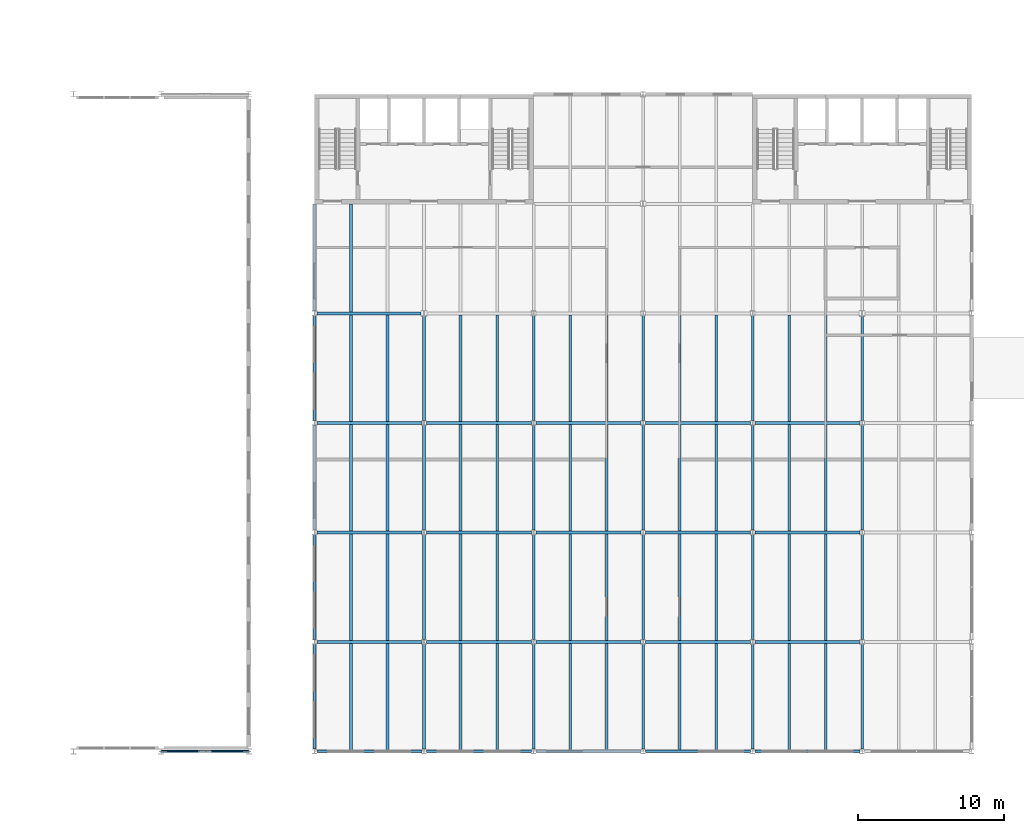
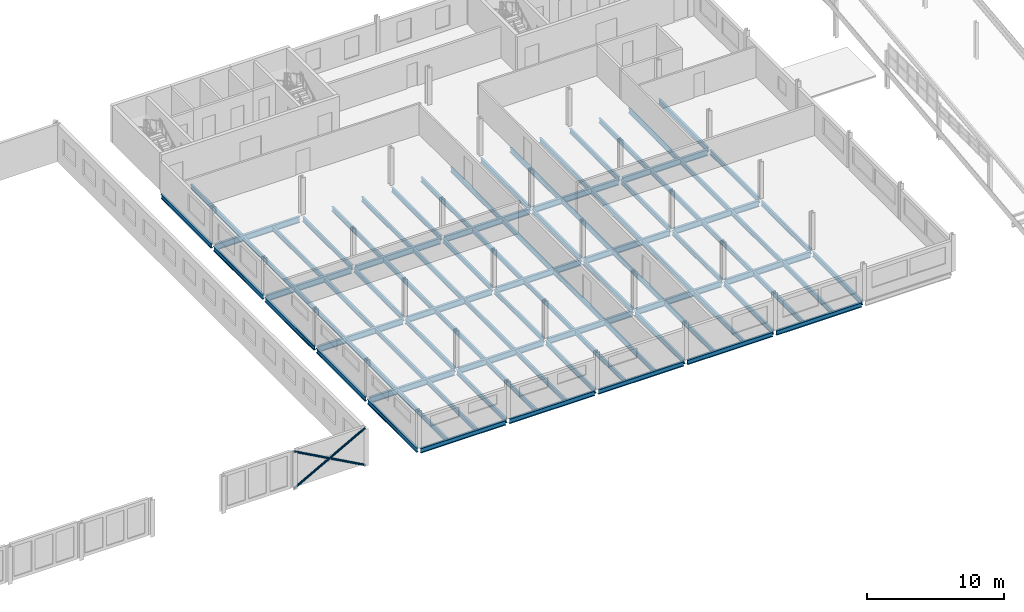
# One storey, part 29 of 199: 87 beams, 3 members.
"""IFC4 building model written with IfcOpenShell, lengths in metres."""

from ifc_helpers import new_model, si_unit, direction, frame, origin, origin_2d, place, context, subcontext, project, spatial, hollow_circle, i_section, extrude, material, material_profile, profile_set, type_object, element, save


model = new_model("IFC4")

# Units and contexts
model_context = context("Model", 3, precision=1e-05, world=origin(), true_north=direction((0.0, 1.0)))
body_context = subcontext(model_context, "Body", "Model", "MODEL_VIEW")
ifc_project = project(units=[si_unit("LENGTHUNIT", "METRE"), si_unit("AREAUNIT", "SQUARE_METRE"), si_unit("VOLUMEUNIT", "CUBIC_METRE"), si_unit("PLANEANGLEUNIT", "RADIAN"), si_unit("MASSUNIT", "GRAM", prefix="KILO")], contexts=[model_context])

# Site, building, storey
site_placement = place(None, origin())
site = spatial("IfcSite", under=ifc_project, at=site_placement, CompositionType="ELEMENT")
building_placement = place(site_placement, origin())
building = spatial("IfcBuilding", under=site, at=building_placement, Name="Parallax Yard Mobility Hub", CompositionType="ELEMENT")
storey_placement = place(building_placement, frame((0.0, 0.0, 9.89990234375)))
storey = spatial("IfcBuildingStorey", under=building, at=storey_placement, Name="L03", CompositionType="ELEMENT", Elevation=9.89990234375)

# Beams
ifc_material_1 = material(Name="Steel ASTM A992", Category="steel")
ifc_material_profile_1 = material_profile(ifc_material_1, i_section(OverallWidth=0.177978515625, OverallDepth=0.406005859375, WebThickness=0.0078125, FlangeThickness=0.0126953125, FilletRadius=0.01025390625, at=origin_2d()), Name="W410x60")
ifc_profile_set_1 = profile_set([ifc_material_profile_1], Name="Steel ASTM A992")
beam_type_1 = type_object("IfcBeamType", Name="W410x60 secondary beam", PredefinedType="JOIST", material=ifc_profile_set_1)
beam_1_placement = place(storey_placement, frame((100.0, 7.589599609375, -0.343017578125), z_axis=(0.0, 1.0, 0.0), x_axis=(-1.0, 0.0, 0.0)))
element("IfcBeam", 1, at=beam_1_placement, inside=storey, type_object=beam_type_1, Name="Secondary beam B1 level L03, 2.5 m east of line 14 of mobility service centre and workshops, span 1", PredefinedType="JOIST", context=body_context, shape_type="SweptSolid", body=[
    extrude(i_section(OverallWidth=0.177978515625, OverallDepth=0.406005859375, WebThickness=0.0078125, FlangeThickness=0.0126953125, FilletRadius=0.01025390625, at=origin_2d()), origin(), (0.0, 0.0, 1.0), 7.305908203125),
])
for number, where, z_axis, x_axis, name in (
    (2, (100.0, 15.1044921875, -0.343017578125), (0.0, 1.0, 0.0), (-1.0, 0.0, 0.0), "Secondary beam B1 level L03, 2.5 m east of line 14 of mobility service centre and workshops, span 2"),
    (3, (100.0, 22.6044921875, -0.343017578125), (0.0, 1.0, 0.0), (-1.0, 0.0, 0.0), "Secondary beam B1 level L03, 2.5 m east of line 14 of mobility service centre and workshops, span 3"),
    (4, (100.0, 30.1044921875, -0.343017578125), (0.0, 1.0, 0.0), (-1.0, 0.0, 0.0), "Secondary beam B1 level L03, 2.5 m east of line 14 of mobility service centre and workshops, span 4"),
):
    element("IfcBeam", number, at=place(storey_placement, frame(where, z_axis=z_axis, x_axis=x_axis)), inside=storey, type_object=beam_type_1, Name=name, PredefinedType="JOIST", context=body_context, shape_type="SweptSolid", body=[
        extrude(i_section(OverallWidth=0.177978515625, OverallDepth=0.406005859375, WebThickness=0.0078125, FlangeThickness=0.0126953125, FilletRadius=0.01025390625, at=origin_2d()), origin(), (0.0, 0.0, 1.0), 7.291015625),
    ])
beam_2_placement = place(storey_placement, frame((100.0, 37.6044921875, -0.343017578125), z_axis=(0.0, 1.0, 0.0), x_axis=(-1.0, 0.0, 0.0)))
element("IfcBeam", 5, at=beam_2_placement, inside=storey, type_object=beam_type_1, Name="Secondary beam B1 level L03, 2.5 m east of line 14 of mobility service centre and workshops, span 5", PredefinedType="JOIST", context=body_context, shape_type="SweptSolid", body=[
    extrude(i_section(OverallWidth=0.177978515625, OverallDepth=0.406005859375, WebThickness=0.0078125, FlangeThickness=0.0126953125, FilletRadius=0.01025390625, at=origin_2d()), origin(), (0.0, 0.0, 1.0), 7.3955078125),
])
beam_3_placement = place(storey_placement, frame((107.5, 7.589599609375, -0.343017578125), z_axis=(0.0, 1.0, 0.0), x_axis=(-1.0, 0.0, 0.0)))
element("IfcBeam", 6, at=beam_3_placement, inside=storey, type_object=beam_type_1, Name="Secondary beam B1 level L03, 2.5 m east of line 15 of mobility service centre and workshops, span 1", PredefinedType="JOIST", context=body_context, shape_type="SweptSolid", body=[
    extrude(i_section(OverallWidth=0.177978515625, OverallDepth=0.406005859375, WebThickness=0.0078125, FlangeThickness=0.0126953125, FilletRadius=0.01025390625, at=origin_2d()), origin(), (0.0, 0.0, 1.0), 7.305908203125),
])
for number, where, z_axis, x_axis, name in (
    (7, (107.5, 15.1044921875, -0.343017578125), (0.0, 1.0, 0.0), (-1.0, 0.0, 0.0), "Secondary beam B1 level L03, 2.5 m east of line 15 of mobility service centre and workshops, span 2"),
    (8, (107.5, 22.6044921875, -0.343017578125), (0.0, 1.0, 0.0), (-1.0, 0.0, 0.0), "Secondary beam B1 level L03, 2.5 m east of line 15 of mobility service centre and workshops, span 3"),
    (9, (107.5, 30.1044921875, -0.343017578125), (0.0, 1.0, 0.0), (-1.0, 0.0, 0.0), "Secondary beam B1 level L03, 2.5 m east of line 15 of mobility service centre and workshops, span 4"),
):
    element("IfcBeam", number, at=place(storey_placement, frame(where, z_axis=z_axis, x_axis=x_axis)), inside=storey, type_object=beam_type_1, Name=name, PredefinedType="JOIST", context=body_context, shape_type="SweptSolid", body=[
        extrude(i_section(OverallWidth=0.177978515625, OverallDepth=0.406005859375, WebThickness=0.0078125, FlangeThickness=0.0126953125, FilletRadius=0.01025390625, at=origin_2d()), origin(), (0.0, 0.0, 1.0), 7.291015625),
    ])
beam_4_placement = place(storey_placement, frame((115.0, 7.589599609375, -0.343017578125), z_axis=(0.0, 1.0, 0.0), x_axis=(-1.0, 0.0, 0.0)))
element("IfcBeam", 10, at=beam_4_placement, inside=storey, type_object=beam_type_1, Name="Secondary beam B1 level L03, 2.5 m east of line 16 of mobility service centre and workshops, span 1", PredefinedType="JOIST", context=body_context, shape_type="SweptSolid", body=[
    extrude(i_section(OverallWidth=0.177978515625, OverallDepth=0.406005859375, WebThickness=0.0078125, FlangeThickness=0.0126953125, FilletRadius=0.01025390625, at=origin_2d()), origin(), (0.0, 0.0, 1.0), 7.305908203125),
])
for number, where, z_axis, x_axis, name in (
    (11, (115.0, 15.1044921875, -0.343017578125), (0.0, 1.0, 0.0), (-1.0, 0.0, 0.0), "Secondary beam B1 level L03, 2.5 m east of line 16 of mobility service centre and workshops, span 2"),
    (12, (115.0, 22.6044921875, -0.343017578125), (0.0, 1.0, 0.0), (-1.0, 0.0, 0.0), "Secondary beam B1 level L03, 2.5 m east of line 16 of mobility service centre and workshops, span 3"),
    (13, (115.0, 30.1044921875, -0.343017578125), (0.0, 1.0, 0.0), (-1.0, 0.0, 0.0), "Secondary beam B1 level L03, 2.5 m east of line 16 of mobility service centre and workshops, span 4"),
):
    element("IfcBeam", number, at=place(storey_placement, frame(where, z_axis=z_axis, x_axis=x_axis)), inside=storey, type_object=beam_type_1, Name=name, PredefinedType="JOIST", context=body_context, shape_type="SweptSolid", body=[
        extrude(i_section(OverallWidth=0.177978515625, OverallDepth=0.406005859375, WebThickness=0.0078125, FlangeThickness=0.0126953125, FilletRadius=0.01025390625, at=origin_2d()), origin(), (0.0, 0.0, 1.0), 7.291015625),
    ])
beam_5_placement = place(storey_placement, frame((122.5, 7.589599609375, -0.343017578125), z_axis=(0.0, 1.0, 0.0), x_axis=(-1.0, 0.0, 0.0)))
element("IfcBeam", 14, at=beam_5_placement, inside=storey, type_object=beam_type_1, Name="Secondary beam B1 level L03, 2.5 m east of line 17 of mobility service centre and workshops, span 1", PredefinedType="JOIST", context=body_context, shape_type="SweptSolid", body=[
    extrude(i_section(OverallWidth=0.177978515625, OverallDepth=0.406005859375, WebThickness=0.0078125, FlangeThickness=0.0126953125, FilletRadius=0.01025390625, at=origin_2d()), origin(), (0.0, 0.0, 1.0), 7.305908203125),
])
for number, where, z_axis, x_axis, name in (
    (15, (122.5, 15.1044921875, -0.343017578125), (0.0, 1.0, 0.0), (-1.0, 0.0, 0.0), "Secondary beam B1 level L03, 2.5 m east of line 17 of mobility service centre and workshops, span 2"),
    (16, (122.5, 22.6044921875, -0.343017578125), (0.0, 1.0, 0.0), (-1.0, 0.0, 0.0), "Secondary beam B1 level L03, 2.5 m east of line 17 of mobility service centre and workshops, span 3"),
    (17, (122.5, 30.1044921875, -0.343017578125), (0.0, 1.0, 0.0), (-1.0, 0.0, 0.0), "Secondary beam B1 level L03, 2.5 m east of line 17 of mobility service centre and workshops, span 4"),
):
    element("IfcBeam", number, at=place(storey_placement, frame(where, z_axis=z_axis, x_axis=x_axis)), inside=storey, type_object=beam_type_1, Name=name, PredefinedType="JOIST", context=body_context, shape_type="SweptSolid", body=[
        extrude(i_section(OverallWidth=0.177978515625, OverallDepth=0.406005859375, WebThickness=0.0078125, FlangeThickness=0.0126953125, FilletRadius=0.01025390625, at=origin_2d()), origin(), (0.0, 0.0, 1.0), 7.291015625),
    ])
beam_6_placement = place(storey_placement, frame((130.0, 7.589599609375, -0.343017578125), z_axis=(0.0, 1.0, 0.0), x_axis=(-1.0, 0.0, 0.0)))
element("IfcBeam", 18, at=beam_6_placement, inside=storey, type_object=beam_type_1, Name="Secondary beam B1 level L03, 2.5 m east of line 18 of mobility service centre and workshops, span 1", PredefinedType="JOIST", context=body_context, shape_type="SweptSolid", body=[
    extrude(i_section(OverallWidth=0.177978515625, OverallDepth=0.406005859375, WebThickness=0.0078125, FlangeThickness=0.0126953125, FilletRadius=0.01025390625, at=origin_2d()), origin(), (0.0, 0.0, 1.0), 7.305908203125),
])
for number, where, z_axis, x_axis, name in (
    (19, (130.0, 15.1044921875, -0.343017578125), (0.0, 1.0, 0.0), (-1.0, 0.0, 0.0), "Secondary beam B1 level L03, 2.5 m east of line 18 of mobility service centre and workshops, span 2"),
    (20, (130.0, 22.6044921875, -0.343017578125), (0.0, 1.0, 0.0), (-1.0, 0.0, 0.0), "Secondary beam B1 level L03, 2.5 m east of line 18 of mobility service centre and workshops, span 3"),
    (21, (130.0, 30.1044921875, -0.343017578125), (0.0, 1.0, 0.0), (-1.0, 0.0, 0.0), "Secondary beam B1 level L03, 2.5 m east of line 18 of mobility service centre and workshops, span 4"),
):
    element("IfcBeam", number, at=place(storey_placement, frame(where, z_axis=z_axis, x_axis=x_axis)), inside=storey, type_object=beam_type_1, Name=name, PredefinedType="JOIST", context=body_context, shape_type="SweptSolid", body=[
        extrude(i_section(OverallWidth=0.177978515625, OverallDepth=0.406005859375, WebThickness=0.0078125, FlangeThickness=0.0126953125, FilletRadius=0.01025390625, at=origin_2d()), origin(), (0.0, 0.0, 1.0), 7.291015625),
    ])
beam_7_placement = place(storey_placement, frame((102.5, 7.589599609375, -0.343017578125), z_axis=(0.0, 1.0, 0.0), x_axis=(-1.0, 0.0, 0.0)))
element("IfcBeam", 22, at=beam_7_placement, inside=storey, type_object=beam_type_1, Name="Secondary beam B1 level L03, 5 m east of line 14 of mobility service centre and workshops, span 1", PredefinedType="JOIST", context=body_context, shape_type="SweptSolid", body=[
    extrude(i_section(OverallWidth=0.177978515625, OverallDepth=0.406005859375, WebThickness=0.0078125, FlangeThickness=0.0126953125, FilletRadius=0.01025390625, at=origin_2d()), origin(), (0.0, 0.0, 1.0), 7.305908203125),
])
for number, where, z_axis, x_axis, name in (
    (23, (102.5, 15.1044921875, -0.343017578125), (0.0, 1.0, 0.0), (-1.0, 0.0, 0.0), "Secondary beam B1 level L03, 5 m east of line 14 of mobility service centre and workshops, span 2"),
    (24, (102.5, 22.6044921875, -0.343017578125), (0.0, 1.0, 0.0), (-1.0, 0.0, 0.0), "Secondary beam B1 level L03, 5 m east of line 14 of mobility service centre and workshops, span 3"),
    (25, (102.5, 30.1044921875, -0.343017578125), (0.0, 1.0, 0.0), (-1.0, 0.0, 0.0), "Secondary beam B1 level L03, 5 m east of line 14 of mobility service centre and workshops, span 4"),
):
    element("IfcBeam", number, at=place(storey_placement, frame(where, z_axis=z_axis, x_axis=x_axis)), inside=storey, type_object=beam_type_1, Name=name, PredefinedType="JOIST", context=body_context, shape_type="SweptSolid", body=[
        extrude(i_section(OverallWidth=0.177978515625, OverallDepth=0.406005859375, WebThickness=0.0078125, FlangeThickness=0.0126953125, FilletRadius=0.01025390625, at=origin_2d()), origin(), (0.0, 0.0, 1.0), 7.291015625),
    ])
beam_8_placement = place(storey_placement, frame((110.0, 7.589599609375, -0.343017578125), z_axis=(0.0, 1.0, 0.0), x_axis=(-1.0, 0.0, 0.0)))
element("IfcBeam", 26, at=beam_8_placement, inside=storey, type_object=beam_type_1, Name="Secondary beam B1 level L03, 5 m east of line 15 of mobility service centre and workshops, span 1", PredefinedType="JOIST", context=body_context, shape_type="SweptSolid", body=[
    extrude(i_section(OverallWidth=0.177978515625, OverallDepth=0.406005859375, WebThickness=0.0078125, FlangeThickness=0.0126953125, FilletRadius=0.01025390625, at=origin_2d()), origin(), (0.0, 0.0, 1.0), 7.305908203125),
])
for number, where, z_axis, x_axis, name in (
    (27, (110.0, 15.1044921875, -0.343017578125), (0.0, 1.0, 0.0), (-1.0, 0.0, 0.0), "Secondary beam B1 level L03, 5 m east of line 15 of mobility service centre and workshops, span 2"),
    (28, (110.0, 22.6044921875, -0.343017578125), (0.0, 1.0, 0.0), (-1.0, 0.0, 0.0), "Secondary beam B1 level L03, 5 m east of line 15 of mobility service centre and workshops, span 3"),
    (29, (110.0, 30.1044921875, -0.343017578125), (0.0, 1.0, 0.0), (-1.0, 0.0, 0.0), "Secondary beam B1 level L03, 5 m east of line 15 of mobility service centre and workshops, span 4"),
):
    element("IfcBeam", number, at=place(storey_placement, frame(where, z_axis=z_axis, x_axis=x_axis)), inside=storey, type_object=beam_type_1, Name=name, PredefinedType="JOIST", context=body_context, shape_type="SweptSolid", body=[
        extrude(i_section(OverallWidth=0.177978515625, OverallDepth=0.406005859375, WebThickness=0.0078125, FlangeThickness=0.0126953125, FilletRadius=0.01025390625, at=origin_2d()), origin(), (0.0, 0.0, 1.0), 7.291015625),
    ])
beam_9_placement = place(storey_placement, frame((117.5, 7.589599609375, -0.343017578125), z_axis=(0.0, 1.0, 0.0), x_axis=(-1.0, 0.0, 0.0)))
element("IfcBeam", 30, at=beam_9_placement, inside=storey, type_object=beam_type_1, Name="Secondary beam B1 level L03, 5 m east of line 16 of mobility service centre and workshops, span 1", PredefinedType="JOIST", context=body_context, shape_type="SweptSolid", body=[
    extrude(i_section(OverallWidth=0.177978515625, OverallDepth=0.406005859375, WebThickness=0.0078125, FlangeThickness=0.0126953125, FilletRadius=0.01025390625, at=origin_2d()), origin(), (0.0, 0.0, 1.0), 7.305908203125),
])
for number, where, z_axis, x_axis, name in (
    (31, (117.5, 15.1044921875, -0.343017578125), (0.0, 1.0, 0.0), (-1.0, 0.0, 0.0), "Secondary beam B1 level L03, 5 m east of line 16 of mobility service centre and workshops, span 2"),
    (32, (117.5, 22.6044921875, -0.343017578125), (0.0, 1.0, 0.0), (-1.0, 0.0, 0.0), "Secondary beam B1 level L03, 5 m east of line 16 of mobility service centre and workshops, span 3"),
    (33, (117.5, 30.1044921875, -0.343017578125), (0.0, 1.0, 0.0), (-1.0, 0.0, 0.0), "Secondary beam B1 level L03, 5 m east of line 16 of mobility service centre and workshops, span 4"),
):
    element("IfcBeam", number, at=place(storey_placement, frame(where, z_axis=z_axis, x_axis=x_axis)), inside=storey, type_object=beam_type_1, Name=name, PredefinedType="JOIST", context=body_context, shape_type="SweptSolid", body=[
        extrude(i_section(OverallWidth=0.177978515625, OverallDepth=0.406005859375, WebThickness=0.0078125, FlangeThickness=0.0126953125, FilletRadius=0.01025390625, at=origin_2d()), origin(), (0.0, 0.0, 1.0), 7.291015625),
    ])
beam_10_placement = place(storey_placement, frame((125.0, 7.589599609375, -0.343017578125), z_axis=(0.0, 1.0, 0.0), x_axis=(-1.0, 0.0, 0.0)))
element("IfcBeam", 34, at=beam_10_placement, inside=storey, type_object=beam_type_1, Name="Secondary beam B1 level L03, 5 m east of line 17 of mobility service centre and workshops, span 1", PredefinedType="JOIST", context=body_context, shape_type="SweptSolid", body=[
    extrude(i_section(OverallWidth=0.177978515625, OverallDepth=0.406005859375, WebThickness=0.0078125, FlangeThickness=0.0126953125, FilletRadius=0.01025390625, at=origin_2d()), origin(), (0.0, 0.0, 1.0), 7.305908203125),
])
for number, where, z_axis, x_axis, name in (
    (35, (125.0, 15.1044921875, -0.343017578125), (0.0, 1.0, 0.0), (-1.0, 0.0, 0.0), "Secondary beam B1 level L03, 5 m east of line 17 of mobility service centre and workshops, span 2"),
    (36, (125.0, 22.6044921875, -0.343017578125), (0.0, 1.0, 0.0), (-1.0, 0.0, 0.0), "Secondary beam B1 level L03, 5 m east of line 17 of mobility service centre and workshops, span 3"),
    (37, (125.0, 30.1044921875, -0.343017578125), (0.0, 1.0, 0.0), (-1.0, 0.0, 0.0), "Secondary beam B1 level L03, 5 m east of line 17 of mobility service centre and workshops, span 4"),
):
    element("IfcBeam", number, at=place(storey_placement, frame(where, z_axis=z_axis, x_axis=x_axis)), inside=storey, type_object=beam_type_1, Name=name, PredefinedType="JOIST", context=body_context, shape_type="SweptSolid", body=[
        extrude(i_section(OverallWidth=0.177978515625, OverallDepth=0.406005859375, WebThickness=0.0078125, FlangeThickness=0.0126953125, FilletRadius=0.01025390625, at=origin_2d()), origin(), (0.0, 0.0, 1.0), 7.291015625),
    ])
beam_11_placement = place(storey_placement, frame((132.5, 7.589599609375, -0.343017578125), z_axis=(0.0, 1.0, 0.0), x_axis=(-1.0, 0.0, 0.0)))
element("IfcBeam", 38, at=beam_11_placement, inside=storey, type_object=beam_type_1, Name="Secondary beam B1 level L03, 5 m east of line 18 of mobility service centre and workshops, span 1", PredefinedType="JOIST", context=body_context, shape_type="SweptSolid", body=[
    extrude(i_section(OverallWidth=0.177978515625, OverallDepth=0.406005859375, WebThickness=0.0078125, FlangeThickness=0.0126953125, FilletRadius=0.01025390625, at=origin_2d()), origin(), (0.0, 0.0, 1.0), 7.305908203125),
])
for number, where, z_axis, x_axis, name in (
    (39, (132.5, 15.1044921875, -0.343017578125), (0.0, 1.0, 0.0), (-1.0, 0.0, 0.0), "Secondary beam B1 level L03, 5 m east of line 18 of mobility service centre and workshops, span 2"),
    (40, (132.5, 22.6044921875, -0.343017578125), (0.0, 1.0, 0.0), (-1.0, 0.0, 0.0), "Secondary beam B1 level L03, 5 m east of line 18 of mobility service centre and workshops, span 3"),
    (41, (132.5, 30.1044921875, -0.343017578125), (0.0, 1.0, 0.0), (-1.0, 0.0, 0.0), "Secondary beam B1 level L03, 5 m east of line 18 of mobility service centre and workshops, span 4"),
):
    element("IfcBeam", number, at=place(storey_placement, frame(where, z_axis=z_axis, x_axis=x_axis)), inside=storey, type_object=beam_type_1, Name=name, PredefinedType="JOIST", context=body_context, shape_type="SweptSolid", body=[
        extrude(i_section(OverallWidth=0.177978515625, OverallDepth=0.406005859375, WebThickness=0.0078125, FlangeThickness=0.0126953125, FilletRadius=0.01025390625, at=origin_2d()), origin(), (0.0, 0.0, 1.0), 7.291015625),
    ])
ifc_material_profile_2 = material_profile(ifc_material_1, i_section(OverallWidth=0.178955078125, OverallDepth=0.408935546875, WebThickness=0.0087890625, FlangeThickness=0.014404296875, FilletRadius=0.01025390625, at=origin_2d()), Name="W410x67")
ifc_profile_set_2 = profile_set([ifc_material_profile_2], Name="Steel ASTM A992")
beam_type_2 = type_object("IfcBeamType", Name="W410x67 edge beam", PredefinedType="SPANDREL", material=ifc_profile_set_2)
for number, where, z_axis, x_axis, name in (
    (42, (97.5, 7.653564453125, -0.344482421875), (0.0, 1.0, 0.0), (-1.0, 0.0, 0.0), "Edge beam SB3 level L03, line 14 of mobility service centre and workshops, span 1"),
    (43, (97.5, 15.153564453125, -0.344482421875), (0.0, 1.0, 0.0), (-1.0, 0.0, 0.0), "Edge beam SB3 level L03, line 14 of mobility service centre and workshops, span 2"),
    (44, (97.5, 22.653564453125, -0.344482421875), (0.0, 1.0, 0.0), (-1.0, 0.0, 0.0), "Edge beam SB3 level L03, line 14 of mobility service centre and workshops, span 3"),
):
    element("IfcBeam", number, at=place(storey_placement, frame(where, z_axis=z_axis, x_axis=x_axis)), inside=storey, type_object=beam_type_2, Name=name, PredefinedType="SPANDREL", context=body_context, shape_type="SweptSolid", body=[
        extrude(i_section(OverallWidth=0.178955078125, OverallDepth=0.408935546875, WebThickness=0.0087890625, FlangeThickness=0.014404296875, FilletRadius=0.01025390625, at=origin_2d()), origin(), (0.0, 0.0, 1.0), 7.19287109375),
    ])
beam_12_placement = place(storey_placement, frame((97.5, 30.153564453125, -0.344482421875), z_axis=(0.0, 1.0, 0.0), x_axis=(-1.0, 0.0, 0.0)))
element("IfcBeam", 45, at=beam_12_placement, inside=storey, type_object=beam_type_2, Name="Edge beam SB3 level L03, line 14 of mobility service centre and workshops, span 4", PredefinedType="SPANDREL", context=body_context, shape_type="SweptSolid", body=[
    extrude(i_section(OverallWidth=0.178955078125, OverallDepth=0.408935546875, WebThickness=0.0087890625, FlangeThickness=0.014404296875, FilletRadius=0.01025390625, at=origin_2d()), origin(), (0.0, 0.0, 1.0), 7.1875),
])
beam_13_placement = place(storey_placement, frame((97.5, 37.658935546875, -0.344482421875), z_axis=(0.0, 1.0, 0.0), x_axis=(-1.0, 0.0, 0.0)))
element("IfcBeam", 46, at=beam_13_placement, inside=storey, type_object=beam_type_2, Name="Edge beam SB3 level L03, line 14 of mobility service centre and workshops, span 5", PredefinedType="SPANDREL", context=body_context, shape_type="SweptSolid", body=[
    extrude(i_section(OverallWidth=0.178955078125, OverallDepth=0.408935546875, WebThickness=0.0087890625, FlangeThickness=0.014404296875, FilletRadius=0.01025390625, at=origin_2d()), origin(), (0.0, 0.0, 1.0), 7.341064453125),
])
for number, where, z_axis, x_axis, name in (
    (47, (97.652587890625, 7.5, -0.344482421875), (1.0, 0.0, 0.0), (0.0, 1.0, 0.0), "Edge beam SB3 level L03, line B of mobility service centre and workshops, span 1"),
    (48, (105.152587890625, 7.5, -0.344482421875), (1.0, 0.0, 0.0), (0.0, 1.0, 0.0), "Edge beam SB3 level L03, line B of mobility service centre and workshops, span 2"),
    (49, (112.652587890625, 7.5, -0.344482421875), (1.0, 0.0, 0.0), (0.0, 1.0, 0.0), "Edge beam SB3 level L03, line B of mobility service centre and workshops, span 3"),
    (50, (120.152587890625, 7.5, -0.344482421875), (1.0, 0.0, 0.0), (0.0, 1.0, 0.0), "Edge beam SB3 level L03, line B of mobility service centre and workshops, span 4"),
    (51, (127.652587890625, 7.5, -0.344482421875), (1.0, 0.0, 0.0), (0.0, 1.0, 0.0), "Edge beam SB3 level L03, line B of mobility service centre and workshops, span 5"),
):
    element("IfcBeam", number, at=place(storey_placement, frame(where, z_axis=z_axis, x_axis=x_axis)), inside=storey, type_object=beam_type_2, Name=name, PredefinedType="SPANDREL", context=body_context, shape_type="SweptSolid", body=[
        extrude(i_section(OverallWidth=0.178955078125, OverallDepth=0.408935546875, WebThickness=0.0087890625, FlangeThickness=0.014404296875, FilletRadius=0.01025390625, at=origin_2d()), origin(), (0.0, 0.0, 1.0), 7.19482421875),
    ])
ifc_material_profile_3 = material_profile(ifc_material_1, i_section(OverallWidth=0.178955078125, OverallDepth=0.408935546875, WebThickness=0.0087890625, FlangeThickness=0.014404296875, FilletRadius=0.01025390625, at=origin_2d()), Name="W410x67")
ifc_profile_set_3 = profile_set([ifc_material_profile_3], Name="Steel ASTM A992")
beam_type_3 = type_object("IfcBeamType", Name="W410x67 girder", PredefinedType="BEAM", material=ifc_profile_set_3)
for number, where, z_axis, x_axis, name in (
    (52, (105.0, 7.653564453125, -0.344482421875), (0.0, 1.0, 0.0), (-1.0, 0.0, 0.0), "Girder G1 level L03, line 15 of mobility service centre and workshops, span 1"),
    (53, (105.0, 15.153564453125, -0.344482421875), (0.0, 1.0, 0.0), (-1.0, 0.0, 0.0), "Girder G1 level L03, line 15 of mobility service centre and workshops, span 2"),
    (54, (105.0, 22.653564453125, -0.344482421875), (0.0, 1.0, 0.0), (-1.0, 0.0, 0.0), "Girder G1 level L03, line 15 of mobility service centre and workshops, span 3"),
):
    element("IfcBeam", number, at=place(storey_placement, frame(where, z_axis=z_axis, x_axis=x_axis)), inside=storey, type_object=beam_type_3, Name=name, PredefinedType="BEAM", context=body_context, shape_type="SweptSolid", body=[
        extrude(i_section(OverallWidth=0.178955078125, OverallDepth=0.408935546875, WebThickness=0.0087890625, FlangeThickness=0.014404296875, FilletRadius=0.01025390625, at=origin_2d()), origin(), (0.0, 0.0, 1.0), 7.19287109375),
    ])
beam_14_placement = place(storey_placement, frame((105.0, 30.153564453125, -0.344482421875), z_axis=(0.0, 1.0, 0.0), x_axis=(-1.0, 0.0, 0.0)))
element("IfcBeam", 55, at=beam_14_placement, inside=storey, type_object=beam_type_3, Name="Girder G1 level L03, line 15 of mobility service centre and workshops, span 4", PredefinedType="BEAM", context=body_context, shape_type="SweptSolid", body=[
    extrude(i_section(OverallWidth=0.178955078125, OverallDepth=0.408935546875, WebThickness=0.0087890625, FlangeThickness=0.014404296875, FilletRadius=0.01025390625, at=origin_2d()), origin(), (0.0, 0.0, 1.0), 7.158447265625),
])
for number, where, z_axis, x_axis, name in (
    (56, (112.5, 7.653564453125, -0.344482421875), (0.0, 1.0, 0.0), (-1.0, 0.0, 0.0), "Girder G1 level L03, line 16 of mobility service centre and workshops, span 1"),
    (57, (112.5, 15.153564453125, -0.344482421875), (0.0, 1.0, 0.0), (-1.0, 0.0, 0.0), "Girder G1 level L03, line 16 of mobility service centre and workshops, span 2"),
    (58, (112.5, 22.653564453125, -0.344482421875), (0.0, 1.0, 0.0), (-1.0, 0.0, 0.0), "Girder G1 level L03, line 16 of mobility service centre and workshops, span 3"),
):
    element("IfcBeam", number, at=place(storey_placement, frame(where, z_axis=z_axis, x_axis=x_axis)), inside=storey, type_object=beam_type_3, Name=name, PredefinedType="BEAM", context=body_context, shape_type="SweptSolid", body=[
        extrude(i_section(OverallWidth=0.178955078125, OverallDepth=0.408935546875, WebThickness=0.0087890625, FlangeThickness=0.014404296875, FilletRadius=0.01025390625, at=origin_2d()), origin(), (0.0, 0.0, 1.0), 7.19287109375),
    ])
beam_15_placement = place(storey_placement, frame((112.5, 30.153564453125, -0.344482421875), z_axis=(0.0, 1.0, 0.0), x_axis=(-1.0, 0.0, 0.0)))
element("IfcBeam", 59, at=beam_15_placement, inside=storey, type_object=beam_type_3, Name="Girder G1 level L03, line 16 of mobility service centre and workshops, span 4", PredefinedType="BEAM", context=body_context, shape_type="SweptSolid", body=[
    extrude(i_section(OverallWidth=0.178955078125, OverallDepth=0.408935546875, WebThickness=0.0087890625, FlangeThickness=0.014404296875, FilletRadius=0.01025390625, at=origin_2d()), origin(), (0.0, 0.0, 1.0), 7.1875),
])
for number, where, z_axis, x_axis, name in (
    (60, (120.0, 7.653564453125, -0.344482421875), (0.0, 1.0, 0.0), (-1.0, 0.0, 0.0), "Girder G1 level L03, line 17 of mobility service centre and workshops, span 1"),
    (61, (120.0, 15.153564453125, -0.344482421875), (0.0, 1.0, 0.0), (-1.0, 0.0, 0.0), "Girder G1 level L03, line 17 of mobility service centre and workshops, span 2"),
    (62, (120.0, 22.653564453125, -0.344482421875), (0.0, 1.0, 0.0), (-1.0, 0.0, 0.0), "Girder G1 level L03, line 17 of mobility service centre and workshops, span 3"),
    (63, (120.0, 30.153564453125, -0.344482421875), (0.0, 1.0, 0.0), (-1.0, 0.0, 0.0), "Girder G1 level L03, line 17 of mobility service centre and workshops, span 4"),
    (64, (127.5, 7.653564453125, -0.344482421875), (0.0, 1.0, 0.0), (-1.0, 0.0, 0.0), "Girder G1 level L03, line 18 of mobility service centre and workshops, span 1"),
    (65, (127.5, 15.153564453125, -0.344482421875), (0.0, 1.0, 0.0), (-1.0, 0.0, 0.0), "Girder G1 level L03, line 18 of mobility service centre and workshops, span 2"),
    (66, (127.5, 22.653564453125, -0.344482421875), (0.0, 1.0, 0.0), (-1.0, 0.0, 0.0), "Girder G1 level L03, line 18 of mobility service centre and workshops, span 3"),
):
    element("IfcBeam", number, at=place(storey_placement, frame(where, z_axis=z_axis, x_axis=x_axis)), inside=storey, type_object=beam_type_3, Name=name, PredefinedType="BEAM", context=body_context, shape_type="SweptSolid", body=[
        extrude(i_section(OverallWidth=0.178955078125, OverallDepth=0.408935546875, WebThickness=0.0087890625, FlangeThickness=0.014404296875, FilletRadius=0.01025390625, at=origin_2d()), origin(), (0.0, 0.0, 1.0), 7.19287109375),
    ])
beam_16_placement = place(storey_placement, frame((127.5, 30.153564453125, -0.344482421875), z_axis=(0.0, 1.0, 0.0), x_axis=(-1.0, 0.0, 0.0)))
element("IfcBeam", 67, at=beam_16_placement, inside=storey, type_object=beam_type_3, Name="Girder G1 level L03, line 18 of mobility service centre and workshops, span 4", PredefinedType="BEAM", context=body_context, shape_type="SweptSolid", body=[
    extrude(i_section(OverallWidth=0.178955078125, OverallDepth=0.408935546875, WebThickness=0.0087890625, FlangeThickness=0.014404296875, FilletRadius=0.01025390625, at=origin_2d()), origin(), (0.0, 0.0, 1.0), 7.1875),
])
for number, where, z_axis, x_axis, name in (
    (68, (135.0, 7.653564453125, -0.344482421875), (0.0, 1.0, 0.0), (-1.0, 0.0, 0.0), "Girder G1 level L03, line 19 of mobility service centre and workshops, span 1"),
    (69, (135.0, 15.153564453125, -0.344482421875), (0.0, 1.0, 0.0), (-1.0, 0.0, 0.0), "Girder G1 level L03, line 19 of mobility service centre and workshops, span 2"),
    (70, (135.0, 22.653564453125, -0.344482421875), (0.0, 1.0, 0.0), (-1.0, 0.0, 0.0), "Girder G1 level L03, line 19 of mobility service centre and workshops, span 3"),
):
    element("IfcBeam", number, at=place(storey_placement, frame(where, z_axis=z_axis, x_axis=x_axis)), inside=storey, type_object=beam_type_3, Name=name, PredefinedType="BEAM", context=body_context, shape_type="SweptSolid", body=[
        extrude(i_section(OverallWidth=0.178955078125, OverallDepth=0.408935546875, WebThickness=0.0087890625, FlangeThickness=0.014404296875, FilletRadius=0.01025390625, at=origin_2d()), origin(), (0.0, 0.0, 1.0), 7.19287109375),
    ])
beam_17_placement = place(storey_placement, frame((135.0, 30.153564453125, -0.344482421875), z_axis=(0.0, 1.0, 0.0), x_axis=(-1.0, 0.0, 0.0)))
element("IfcBeam", 71, at=beam_17_placement, inside=storey, type_object=beam_type_3, Name="Girder G1 level L03, line 19 of mobility service centre and workshops, span 4", PredefinedType="BEAM", context=body_context, shape_type="SweptSolid", body=[
    extrude(i_section(OverallWidth=0.178955078125, OverallDepth=0.408935546875, WebThickness=0.0087890625, FlangeThickness=0.014404296875, FilletRadius=0.01025390625, at=origin_2d()), origin(), (0.0, 0.0, 1.0), 7.158447265625),
])
ifc_material_profile_4 = material_profile(ifc_material_1, i_section(OverallWidth=0.208984375, OverallDepth=0.532958984375, WebThickness=0.01025390625, FlangeThickness=0.015625, FilletRadius=0.0126953125, at=origin_2d()), Name="W530x92")
ifc_profile_set_4 = profile_set([ifc_material_profile_4], Name="Steel ASTM A992")
beam_type_4 = type_object("IfcBeamType", Name="W530x92 longitudinal beam", PredefinedType="BEAM", material=ifc_profile_set_4)
for number, where, z_axis, x_axis, name in (
    (72, (97.652587890625, 15.0, -0.406494140625), (1.0, 0.0, 0.0), (0.0, 1.0, 0.0), "Longitudinal beam SB6 level L03, line C of mobility service centre and workshops, span 1"),
    (73, (105.152587890625, 15.0, -0.406494140625), (1.0, 0.0, 0.0), (0.0, 1.0, 0.0), "Longitudinal beam SB6 level L03, line C of mobility service centre and workshops, span 2"),
    (74, (112.652587890625, 15.0, -0.406494140625), (1.0, 0.0, 0.0), (0.0, 1.0, 0.0), "Longitudinal beam SB6 level L03, line C of mobility service centre and workshops, span 3"),
    (75, (120.152587890625, 15.0, -0.406494140625), (1.0, 0.0, 0.0), (0.0, 1.0, 0.0), "Longitudinal beam SB6 level L03, line C of mobility service centre and workshops, span 4"),
    (76, (127.652587890625, 15.0, -0.406494140625), (1.0, 0.0, 0.0), (0.0, 1.0, 0.0), "Longitudinal beam SB6 level L03, line C of mobility service centre and workshops, span 5"),
    (77, (97.652587890625, 22.5, -0.406494140625), (1.0, 0.0, 0.0), (0.0, 1.0, 0.0), "Longitudinal beam SB6 level L03, line D of mobility service centre and workshops, span 1"),
    (78, (105.152587890625, 22.5, -0.406494140625), (1.0, 0.0, 0.0), (0.0, 1.0, 0.0), "Longitudinal beam SB6 level L03, line D of mobility service centre and workshops, span 2"),
    (79, (112.652587890625, 22.5, -0.406494140625), (1.0, 0.0, 0.0), (0.0, 1.0, 0.0), "Longitudinal beam SB6 level L03, line D of mobility service centre and workshops, span 3"),
    (80, (120.152587890625, 22.5, -0.406494140625), (1.0, 0.0, 0.0), (0.0, 1.0, 0.0), "Longitudinal beam SB6 level L03, line D of mobility service centre and workshops, span 4"),
    (81, (127.652587890625, 22.5, -0.406494140625), (1.0, 0.0, 0.0), (0.0, 1.0, 0.0), "Longitudinal beam SB6 level L03, line D of mobility service centre and workshops, span 5"),
    (82, (97.652587890625, 30.0, -0.406494140625), (1.0, 0.0, 0.0), (0.0, 1.0, 0.0), "Longitudinal beam SB6 level L03, line E of mobility service centre and workshops, span 1"),
    (83, (105.152587890625, 30.0, -0.406494140625), (1.0, 0.0, 0.0), (0.0, 1.0, 0.0), "Longitudinal beam SB6 level L03, line E of mobility service centre and workshops, span 2"),
    (84, (112.652587890625, 30.0, -0.406494140625), (1.0, 0.0, 0.0), (0.0, 1.0, 0.0), "Longitudinal beam SB6 level L03, line E of mobility service centre and workshops, span 3"),
    (85, (120.152587890625, 30.0, -0.406494140625), (1.0, 0.0, 0.0), (0.0, 1.0, 0.0), "Longitudinal beam SB6 level L03, line E of mobility service centre and workshops, span 4"),
    (86, (127.652587890625, 30.0, -0.406494140625), (1.0, 0.0, 0.0), (0.0, 1.0, 0.0), "Longitudinal beam SB6 level L03, line E of mobility service centre and workshops, span 5"),
):
    element("IfcBeam", number, at=place(storey_placement, frame(where, z_axis=z_axis, x_axis=x_axis)), inside=storey, type_object=beam_type_4, Name=name, PredefinedType="BEAM", context=body_context, shape_type="SweptSolid", body=[
        extrude(i_section(OverallWidth=0.208984375, OverallDepth=0.532958984375, WebThickness=0.01025390625, FlangeThickness=0.015625, FilletRadius=0.0126953125, at=origin_2d()), origin(), (0.0, 0.0, 1.0), 7.19482421875),
    ])
beam_18_placement = place(storey_placement, frame((97.653564453125, 37.5, -0.406494140625), z_axis=(1.0, 0.0, 0.0), x_axis=(0.0, 1.0, 0.0)))
element("IfcBeam", 87, at=beam_18_placement, inside=storey, type_object=beam_type_4, Name="Longitudinal beam SB6 level L03, line F of mobility service centre and workshops, span 1", PredefinedType="BEAM", context=body_context, shape_type="SweptSolid", body=[
    extrude(i_section(OverallWidth=0.208984375, OverallDepth=0.532958984375, WebThickness=0.01025390625, FlangeThickness=0.015625, FilletRadius=0.0126953125, at=origin_2d()), origin(), (0.0, 0.0, 1.0), 7.1494140625),
])

# Members
ifc_material_2 = material(Name="Steel ASTM A500 Gr C", Category="steel")
ifc_material_profile_5 = material_profile(ifc_material_2, hollow_circle(Radius=0.0888671875, WallThickness=0.0078125, at=origin_2d()), Name="HSS177.8x7.9")
ifc_profile_set_5 = profile_set([ifc_material_profile_5], Name="Steel ASTM A500 Gr C")
member_type = type_object("IfcMemberType", Name="Wall brace HSS177.8x7.9", PredefinedType="BRACE", material=ifc_profile_set_5)
member_placement = place(storey_placement, frame((87.0, 7.5, 0.0), z_axis=(0.876212897641, 0.0, 0.481924224341), x_axis=(0.0, 1.0, 0.0)))
element("IfcMember", 88, at=member_placement, inside=storey, type_object=member_type, Name="X brace east end bay south face level 3 1", PredefinedType="BRACE", context=body_context, shape_type="SweptSolid", body=[
    extrude(hollow_circle(Radius=0.0888671875, WallThickness=0.0078125, at=origin_2d()), origin(), (0.0, 0.0, 1.0), 6.84765625),
])
for number, where, z_axis, x_axis, name in (
    (89, (93.0, 7.5, 0.0), (-0.876220551786, 0.0, 0.481910307659), (0.0, -1.0, 0.0), "X brace east end bay south face level 3 2 (half 1)"),
    (90, (89.918212890625, 7.5, 1.695068359375), (-0.876220551786, 0.0, 0.481910307659), (0.0, -1.0, 0.0), "X brace east end bay south face level 3 2 (half 2)"),
):
    element("IfcMember", number, at=place(storey_placement, frame(where, z_axis=z_axis, x_axis=x_axis)), inside=storey, type_object=member_type, Name=name, PredefinedType="BRACE", context=body_context, shape_type="SweptSolid", body=[
        extrude(hollow_circle(Radius=0.0888671875, WallThickness=0.0078125, at=origin_2d()), origin(), (0.0, 0.0, 1.0), 3.33056640625),
    ])

save(model, "model.ifc")
